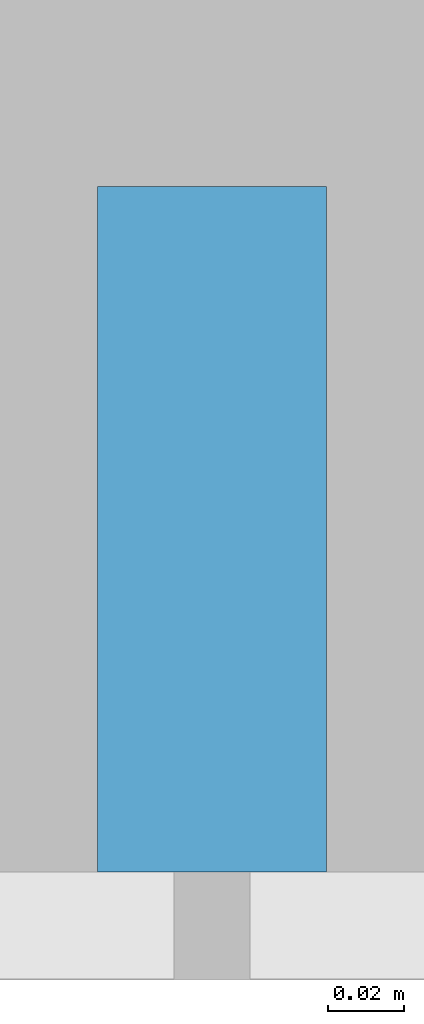
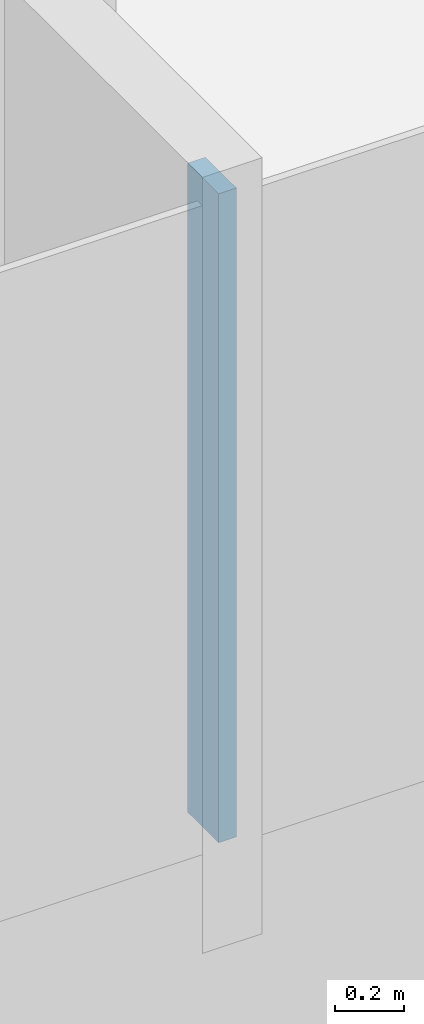
# One storey, part 3 of 26: 1 member, 1 element without a shape of its own.
"""IFC4 building model written with IfcOpenShell, lengths in metres."""

import ifcopenshell
import ifcopenshell.guid

model = None  # the IFC model being written
_history = None  # IfcOwnerHistory: only IFC2X3 demands one
_inside = {}  # id of a spatial element -> (the spatial element, [elements in it])
_under = {}  # id of a project, library or spatial element -> (it, [spatial elements below it])
_declared = {}  # id of a project -> (the project, [libraries it declares])
_typed = {}  # id of a type object -> (the type object, [elements of that type])
_made_of = {}  # id of a material, layer set ... -> (it, [elements and type objects made of it])


def new_model(schema):
    """Start an empty IFC model of exactly this schema.

    Asked for "IFC4X3", IfcOpenShell would pick the latest addendum, in which some entities
    have other attributes; the version numbers below select the first issue.
    IFC2X3 requires an IfcOwnerHistory on every rooted entity: one is made here for all.
    """
    global model, _history
    if schema == "IFC4X3":
        model = ifcopenshell.file(schema_version=(4, 3, 0, 0))
    else:
        model = ifcopenshell.file(schema=schema)
    _inside.clear()
    _under.clear()
    _declared.clear()
    _typed.clear()
    _made_of.clear()
    _history = None
    if model.schema == "IFC2X3":
        org = make("IfcOrganization", Name="unknown")
        user = make(
            "IfcPersonAndOrganization",
            ThePerson=make("IfcPerson", FamilyName="unknown"),
            TheOrganization=org,
        )
        app = make(
            "IfcApplication",
            ApplicationDeveloper=org,
            Version="unknown",
            ApplicationFullName="unknown",
            ApplicationIdentifier="unknown",
        )
        _history = make(
            "IfcOwnerHistory",
            OwningUser=user,
            OwningApplication=app,
            ChangeAction="ADDED",
            CreationDate=0,
        )
    return model


def make(cls, **values):
    """One entity of the class cls with the attributes given. An attribute that is None is left unset."""
    return model.create_entity(
        cls, **{name: value for name, value in values.items() if value is not None}
    )


def rooted(cls, **values):
    """An entity with a GlobalId (a new one), such as an element, a storey or a relation."""
    return make(cls, GlobalId=ifcopenshell.guid.new(), OwnerHistory=_history, **values)


def si_unit(unit_type, name, prefix=None):
    """IfcSIUnit, for example si_unit("LENGTHUNIT", "METRE", prefix="MILLI")."""
    return make("IfcSIUnit", UnitType=unit_type, Prefix=prefix, Name=name)


def assignment(units):
    """IfcUnitAssignment: the units of a project."""
    return None if units is None else make("IfcUnitAssignment", Units=units)


def point(xyz):
    """IfcCartesianPoint."""
    return None if xyz is None else make("IfcCartesianPoint", Coordinates=xyz)


def direction(xyz):
    """IfcDirection."""
    return None if xyz is None else make("IfcDirection", DirectionRatios=xyz)


def frame(location, z_axis=None, x_axis=None):
    """IfcAxis2Placement3D, a coordinate frame: its origin and axes. An axis left out is left unset."""
    return make(
        "IfcAxis2Placement3D",
        Location=point(location),
        Axis=direction(z_axis),
        RefDirection=direction(x_axis),
    )


def frame_2d(location, x_axis=None):
    """IfcAxis2Placement2D, a coordinate frame in the plane: its origin and x axis."""
    return make(
        "IfcAxis2Placement2D", Location=point(location), RefDirection=direction(x_axis)
    )


def origin():
    """The frame at (0, 0, 0) with its axes left unset."""
    return frame((0.0, 0.0, 0.0))


def origin_2d():
    """The frame at (0, 0) in the plane with its x axis left unset."""
    return frame_2d((0.0, 0.0))


def place(relative_to, where):
    """IfcLocalPlacement: puts the frame where relative to a parent placement (None: the world)."""
    return make(
        "IfcLocalPlacement", PlacementRelTo=relative_to, RelativePlacement=where
    )


def context(
    kind, dimensions, precision=None, world=None, true_north=None, identifier=None
):
    """IfcGeometricRepresentationContext, for example the 3D "Model" context."""
    return make(
        "IfcGeometricRepresentationContext",
        ContextIdentifier=identifier,
        ContextType=kind,
        CoordinateSpaceDimension=dimensions,
        Precision=precision,
        WorldCoordinateSystem=world,
        TrueNorth=true_north,
    )


def subcontext(parent, identifier, kind, view, scale=None):
    """IfcGeometricRepresentationSubContext, for example "Body" below "Model"."""
    return make(
        "IfcGeometricRepresentationSubContext",
        ContextIdentifier=identifier,
        ContextType=kind,
        ParentContext=parent,
        TargetScale=scale,
        TargetView=view,
    )


def project(units=None, contexts=None):
    """IfcProject with its units and contexts."""
    return rooted(
        "IfcProject",
        Name="project",
        RepresentationContexts=contexts,
        UnitsInContext=assignment(units),
    )


def spatial(cls, under=None, at=None, **own):
    """A site, building, storey or space (cls), placed at a placement, below another one or the project."""
    s = rooted(cls, ObjectPlacement=at, **own)
    if under is not None:
        _under.setdefault(under.id(), (under, []))[1].append(s)
    return s


def profile(cls, at=None, kind="AREA", **sizes):
    """A parametric profile (cls). Its sizes go by their IFC names, for example OverallWidth=200.0."""
    return make(cls, ProfileType=kind, Position=at, **sizes)


def rectangle(**sizes):
    """IfcRectangleProfileDef."""
    return profile("IfcRectangleProfileDef", **sizes)


def extrude(swept, where, along, depth):
    """IfcExtrudedAreaSolid: the profile swept, set in the frame where, extruded along a direction by depth."""
    return make(
        "IfcExtrudedAreaSolid",
        SweptArea=swept,
        Position=where,
        ExtrudedDirection=direction(along),
        Depth=depth,
    )


def shape(context_of_items, identifier, shape_type, items):
    """IfcShapeRepresentation: the items that make up one representation, for example the "Body"."""
    return make(
        "IfcShapeRepresentation",
        ContextOfItems=context_of_items,
        RepresentationIdentifier=identifier,
        RepresentationType=shape_type,
        Items=items,
    )


def material(Name=None, Category=None):
    """IfcMaterial."""
    return make("IfcMaterial", Name=Name, Category=Category)


def layer(
    of_material, thickness, ventilated=None, Name=None, Category=None, Priority=None
):
    """IfcMaterialLayer: one layer of a wall or slab, of a material (None: an air gap)."""
    return make(
        "IfcMaterialLayer",
        Material=of_material,
        LayerThickness=thickness,
        IsVentilated=ventilated,
        Name=Name,
        Category=Category,
        Priority=Priority,
    )


def layer_set(layers, Name=None):
    """IfcMaterialLayerSet."""
    return make("IfcMaterialLayerSet", MaterialLayers=layers, LayerSetName=Name)


def material_profile(
    of_material, cross_section, Name=None, Category=None, Priority=None
):
    """IfcMaterialProfile: a cross section and its material."""
    return make(
        "IfcMaterialProfile",
        Name=Name,
        Material=of_material,
        Profile=cross_section,
        Priority=Priority,
        Category=Category,
    )


def profile_set(profiles, Name=None, composite=None):
    """IfcMaterialProfileSet."""
    return make(
        "IfcMaterialProfileSet",
        Name=Name,
        MaterialProfiles=profiles,
        CompositeProfile=composite,
    )


def made_of(thing, what):
    """Note that an element or type object is made of a material, layer set ...; save() writes the relation."""
    if what is not None:
        _made_of.setdefault(what.id(), (what, []))[1].append(thing)
    return thing


def type_object(cls, material=None, **own):
    """A type object (cls), such as IfcWallType, which elements share."""
    return made_of(rooted(cls, **own), material)


def element(
    cls,
    number,
    at=None,
    inside=None,
    cuts=None,
    type_object=None,
    material=None,
    context=None,
    identifier="Body",
    shape_type=None,
    held_by="IfcProductDefinitionShape",
    body=None,
    shapes=None,
    **own,
):
    """One element of the class cls, such as IfcWall. Its Tag is "e" and its number.

    at: its placement. inside: the storey or other place that contains it. cuts: it is an
    opening in that element (IfcRelVoidsElement). A single representation is given by context,
    identifier, shape_type and body (its items); several are given by shapes. held_by: the class
    of the entity that holds the representations. save() writes the other relations.
    """
    e = rooted(cls, Tag="e%d" % number, ObjectPlacement=at, **own)
    if body is not None:
        shapes = [shape(context, identifier, shape_type, body)]
    if shapes is not None:
        e.Representation = make(held_by, Representations=shapes)
    if inside is not None:
        _inside.setdefault(inside.id(), (inside, []))[1].append(e)
    if cuts is not None:
        rooted(
            "IfcRelVoidsElement", RelatingBuildingElement=cuts, RelatedOpeningElement=e
        )
    if type_object is not None:
        _typed.setdefault(type_object.id(), (type_object, []))[1].append(e)
    return made_of(e, material)


def aggregate(whole, parts):
    """IfcRelAggregates: a whole, such as a stair, and the parts it consists of."""
    return rooted("IfcRelAggregates", RelatingObject=whole, RelatedObjects=parts)


def save(model, path):
    """Write the relations noted so far, then the file.

    IfcRelAggregates (storeys below a building ...), IfcRelContainedInSpatialStructure (elements
    in a storey), IfcRelDefinesByType, IfcRelAssociatesMaterial and IfcRelDeclares: one each for
    every whole, place, type object, material and project.
    """
    for whole, parts in _under.values():
        aggregate(whole, parts)
    for where, things in _inside.values():
        rooted(
            "IfcRelContainedInSpatialStructure",
            RelatedElements=things,
            RelatingStructure=where,
        )
    for kind, things in _typed.values():
        rooted("IfcRelDefinesByType", RelatedObjects=things, RelatingType=kind)
    for what, things in _made_of.values():
        rooted("IfcRelAssociatesMaterial", RelatedObjects=things, RelatingMaterial=what)
    for by, libraries in _declared.values():
        rooted("IfcRelDeclares", RelatingContext=by, RelatedDefinitions=libraries)
    model.write(path)


model = new_model("IFC4")

# Units and contexts
model_context = context("Model", 3, precision=1e-05, world=origin(), true_north=direction((0.0, 1.0)))
body_context = subcontext(model_context, "Body", "Model", "MODEL_VIEW")
ifc_project = project(units=[si_unit("LENGTHUNIT", "METRE"), si_unit("AREAUNIT", "SQUARE_METRE"), si_unit("VOLUMEUNIT", "CUBIC_METRE"), si_unit("PLANEANGLEUNIT", "RADIAN"), si_unit("MASSUNIT", "GRAM", prefix="KILO")], contexts=[model_context])

# Site, building, storey
site_placement = place(None, origin())
site = spatial("IfcSite", under=ifc_project, at=site_placement, CompositionType="ELEMENT")
building_placement = place(site_placement, origin())
building = spatial("IfcBuilding", under=site, at=building_placement, Name="Hakoniwa Tower and Hamabe Station Hall", CompositionType="ELEMENT")
storey_placement = place(building_placement, frame((0.0, 0.0, 196.199951171875)))
storey = spatial("IfcBuildingStorey", under=building, at=storey_placement, Name="L55", CompositionType="ELEMENT", Elevation=196.199951171875)

# Curtain wall, member
ifc_material_1 = material(Name="Dark low-e laminated glass", Category="glass")
ifc_layer = layer(ifc_material_1, 0.199951171875)
ifc_layer_set = layer_set([ifc_layer], Name="CW-1 UNITISED GUEST")
curtain_wall_type = type_object("IfcCurtainWallType", Name="CW-1 UNITISED GUEST", PredefinedType="NOTDEFINED", material=ifc_layer_set)
curtain_wall_placement = place(storey_placement, origin())
curtain_wall = element("IfcCurtainWall", 1, at=curtain_wall_placement, inside=storey, type_object=curtain_wall_type, Name="CW-1 curtain wall", PredefinedType="NOTDEFINED")
ifc_material_2 = material(Name="Aluminium 6063-T5 black anodised", Category="aluminium")
ifc_material_profile = material_profile(ifc_material_2, rectangle(XDim=0.06005859375, YDim=0.179931640625, at=origin_2d()), Name="CW-1 MULLION 60X180")
ifc_profile_set = profile_set([ifc_material_profile], Name="Aluminium 6063-T5 black anodised")
member_type = type_object("IfcMemberType", Name="CW-1 MULLION 60X180", PredefinedType="MULLION", material=ifc_profile_set)
member_placement = place(storey_placement, frame((0.0, -15.431884765625, 0.35009765625), z_axis=(0.0, 0.0, 1.0), x_axis=(1.0, 0.0, 0.0)))
member = element("IfcMember", 2, at=member_placement, type_object=member_type, Name="CW-1 mullion", PredefinedType="MULLION", context=body_context, shape_type="SweptSolid", body=[
    extrude(rectangle(XDim=0.06005859375, YDim=0.179931640625, at=origin_2d()), origin(), (0.0, 0.0, 1.0), 2.300048828125),
])
aggregate(curtain_wall, [member])

save(model, "model.ifc")
